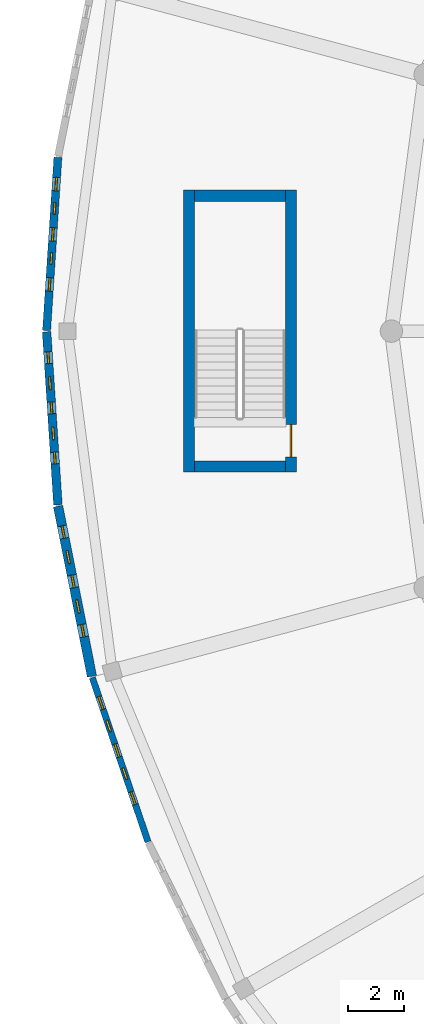
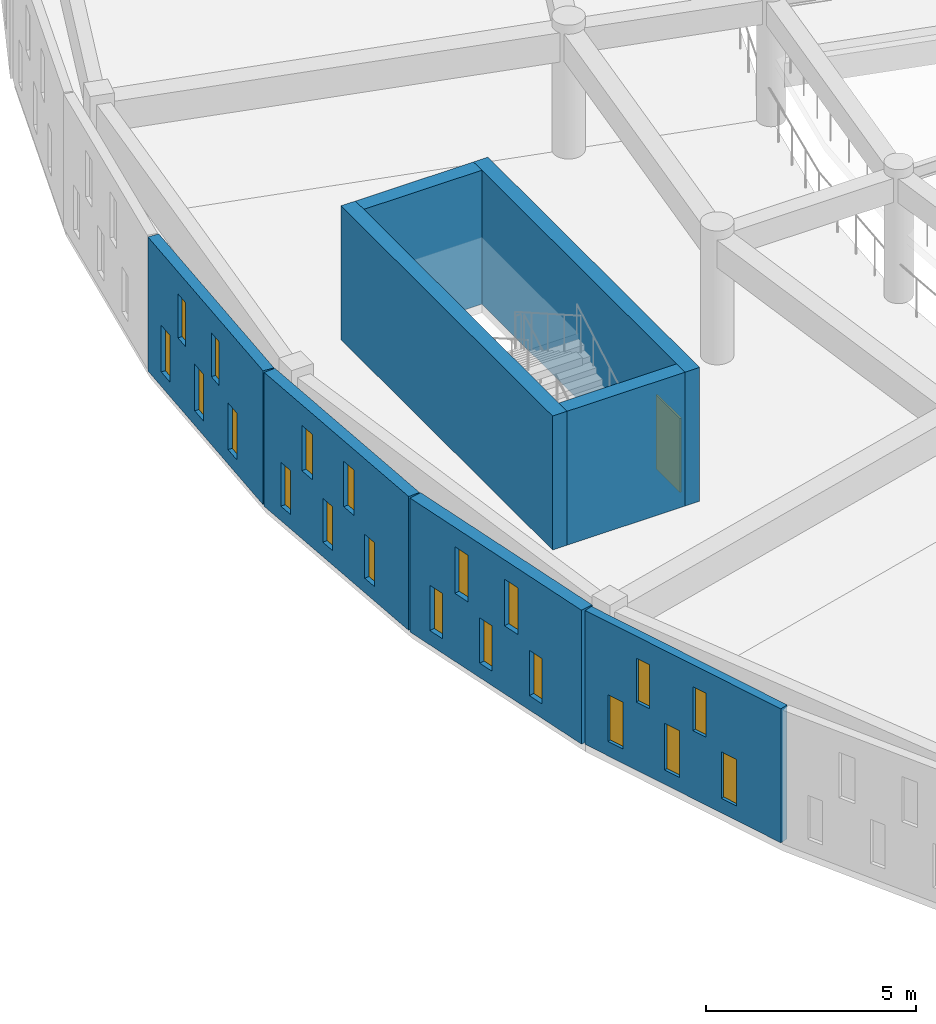
# One storey, part 56 of 98: 20 windows, 8 walls, 1 door, 21 openings.
"""IFC4 building model written with IfcOpenShell, lengths in metres."""

from ifc_helpers import new_model, si_unit, direction, frame, frame_2d, origin, place, context, subcontext, project, spatial, rectangle, extrude, material, layer, layer_set, type_object, element, fill, save


model = new_model("IFC4")

# Units and contexts
model_context = context("Model", 3, precision=1e-05, world=origin(), true_north=direction((0.0, 1.0)))
body_context = subcontext(model_context, "Body", "Model", "MODEL_VIEW")
ifc_project = project(units=[si_unit("LENGTHUNIT", "METRE"), si_unit("AREAUNIT", "SQUARE_METRE"), si_unit("VOLUMEUNIT", "CUBIC_METRE"), si_unit("PLANEANGLEUNIT", "RADIAN"), si_unit("MASSUNIT", "GRAM", prefix="KILO")], contexts=[model_context])

# Site, building, storey
site_placement = place(None, origin())
site = spatial("IfcSite", under=ifc_project, at=site_placement, CompositionType="ELEMENT")
building_placement = place(site_placement, origin())
building = spatial("IfcBuilding", under=site, at=building_placement, Name="Larkveld Mobility Hub", CompositionType="ELEMENT")
storey_placement = place(building_placement, frame((0.0, 0.0, 4.5)))
storey = spatial("IfcBuildingStorey", under=building, at=storey_placement, Name="L01", CompositionType="ELEMENT", Elevation=4.5)

# Wall, openings, windows
ifc_material_1 = material(Name="Fired clay brick 25 MPa", Category="masonry")
ifc_layer_1 = layer(ifc_material_1, 0.22998046875, Name="Fired clay brick 25 MPa", Category="masonry")
ifc_layer_set_1 = layer_set([ifc_layer_1], Name="Fired clay brick 25 MPa")
wall_type_1 = type_object("IfcWallType", Name="WL-BRK-230", PredefinedType="USERDEFINED", material=ifc_layer_set_1)
wall_1_placement = place(storey_placement, frame((1.7880859375, 35.593017578125, 0.0), z_axis=(0.0, 0.0, 1.0), x_axis=(0.321364960579, -0.946955417172, 0.0)))
wall_1 = element("IfcWall", 1, at=wall_1_placement, inside=storey, type_object=wall_type_1, Name="Drum Woven Open-Bond Brick Chord L01-0071", ObjectType="PERFORATED BRICK SCREEN", PredefinedType="USERDEFINED", context=body_context, shape_type="SweptSolid", body=[
    extrude(rectangle(XDim=6.21044921875, YDim=0.22998046875, at=frame_2d((3.105224609375, 0.0))), origin(), (0.0, 0.0, 1.0), 3.89990234375),
])
opening_1_placement = place(wall_1_placement, frame((0.719970703125, 0.0, 0.419921875)))
opening_1 = element("IfcOpeningElement", 2, at=opening_1_placement, cuts=wall_1, Name="Opening W03", PredefinedType="OPENING", context=body_context, shape_type="SweptSolid", body=[
    extrude(rectangle(XDim=0.47998046875, YDim=1.360107421875, at=frame_2d((0.239990234375, 0.68017578125))), frame((0.0, 0.125, 0.0), z_axis=(0.0, -1.0, 0.0), x_axis=(1.0, 0.0, 0.0)), (0.0, 0.0, 1.0), 0.25),
])
opening_2_placement = place(wall_1_placement, frame((2.52001953125, 0.0, 0.419921875)))
opening_2 = element("IfcOpeningElement", 3, at=opening_2_placement, cuts=wall_1, Name="Opening W03", PredefinedType="OPENING", context=body_context, shape_type="SweptSolid", body=[
    extrude(rectangle(XDim=0.47998046875, YDim=1.360107421875, at=frame_2d((0.239990234375, 0.68017578125))), frame((0.0, 0.125, 0.0), z_axis=(0.0, -1.0, 0.0), x_axis=(1.0, 0.0, 0.0)), (0.0, 0.0, 1.0), 0.25),
])
opening_3_placement = place(wall_1_placement, frame((4.320068359375, 0.0, 0.419921875)))
opening_3 = element("IfcOpeningElement", 4, at=opening_3_placement, cuts=wall_1, Name="Opening W03", PredefinedType="OPENING", context=body_context, shape_type="SweptSolid", body=[
    extrude(rectangle(XDim=0.47998046875, YDim=1.360107421875, at=frame_2d((0.239990234375, 0.68017578125))), frame((0.0, 0.125, 0.0), z_axis=(0.0, -1.0, 0.0), x_axis=(1.0, 0.0, 0.0)), (0.0, 0.0, 1.0), 0.25),
])
opening_4_placement = place(wall_1_placement, frame((1.6201171875, 0.0, 1.97998046875)))
opening_4 = element("IfcOpeningElement", 5, at=opening_4_placement, cuts=wall_1, Name="Opening W01", PredefinedType="OPENING", context=body_context, shape_type="SweptSolid", body=[
    extrude(rectangle(XDim=0.419921875, YDim=1.280029296875, at=frame_2d((0.2099609375, 0.64013671875))), frame((0.0, 0.125, 0.0), z_axis=(0.0, -1.0, 0.0), x_axis=(1.0, 0.0, 0.0)), (0.0, 0.0, 1.0), 0.25),
])
opening_5_placement = place(wall_1_placement, frame((3.419921875, 0.0, 1.97998046875)))
opening_5 = element("IfcOpeningElement", 6, at=opening_5_placement, cuts=wall_1, Name="Opening W01", PredefinedType="OPENING", context=body_context, shape_type="SweptSolid", body=[
    extrude(rectangle(XDim=0.419921875, YDim=1.280029296875, at=frame_2d((0.2099609375, 0.64013671875))), frame((0.0, 0.125, 0.0), z_axis=(0.0, -1.0, 0.0), x_axis=(1.0, 0.0, 0.0)), (0.0, 0.0, 1.0), 0.25),
])
ifc_material_2 = material(Name="Extruded aluminium ventilation grille", Category="aluminium")
window_type_1 = type_object("IfcWindowType", Name="WN-VENT-01", PartitioningType="SINGLE_PANEL", PredefinedType="WINDOW", material=ifc_material_2)
window_1_placement = place(opening_4_placement, origin())
window_1 = element("IfcWindow", 7, at=window_1_placement, inside=storey, type_object=window_type_1, Name="Window W01 (0344)", OverallHeight=1.280029296875, OverallWidth=0.419921875, PartitioningType="SINGLE_PANEL", PredefinedType="WINDOW", context=body_context, shape_type="SweptSolid", body=[
    extrude(rectangle(XDim=0.419921875, YDim=1.280029296875, at=frame_2d((0.2099609375, 0.64013671875))), frame((0.0, 0.030029296875, 0.0), z_axis=(0.0, -1.0, 0.0), x_axis=(1.0, 0.0, 0.0)), (0.0, 0.0, 1.0), 0.06005859375),
])
fill(opening_4, window_1)
window_2_placement = place(opening_5_placement, origin())
window_2 = element("IfcWindow", 8, at=window_2_placement, inside=storey, type_object=window_type_1, Name="Window W01 (0345)", OverallHeight=1.280029296875, OverallWidth=0.419921875, PartitioningType="SINGLE_PANEL", PredefinedType="WINDOW", context=body_context, shape_type="SweptSolid", body=[
    extrude(rectangle(XDim=0.419921875, YDim=1.280029296875, at=frame_2d((0.2099609375, 0.64013671875))), frame((0.0, 0.030029296875, 0.0), z_axis=(0.0, -1.0, 0.0), x_axis=(1.0, 0.0, 0.0)), (0.0, 0.0, 1.0), 0.06005859375),
])
fill(opening_5, window_2)
window_type_2 = type_object("IfcWindowType", Name="WN-VENT-03", PartitioningType="SINGLE_PANEL", PredefinedType="WINDOW", material=ifc_material_2)
window_3_placement = place(opening_1_placement, origin())
window_3 = element("IfcWindow", 9, at=window_3_placement, inside=storey, type_object=window_type_2, Name="Window W03 (0341)", OverallHeight=1.360107421875, OverallWidth=0.47998046875, PartitioningType="SINGLE_PANEL", PredefinedType="WINDOW", context=body_context, shape_type="SweptSolid", body=[
    extrude(rectangle(XDim=0.47998046875, YDim=1.360107421875, at=frame_2d((0.239990234375, 0.68017578125))), frame((0.0, 0.030029296875, 0.0), z_axis=(0.0, -1.0, 0.0), x_axis=(1.0, 0.0, 0.0)), (0.0, 0.0, 1.0), 0.06005859375),
])
fill(opening_1, window_3)
window_4_placement = place(opening_2_placement, origin())
window_4 = element("IfcWindow", 10, at=window_4_placement, inside=storey, type_object=window_type_2, Name="Window W03 (0342)", OverallHeight=1.360107421875, OverallWidth=0.47998046875, PartitioningType="SINGLE_PANEL", PredefinedType="WINDOW", context=body_context, shape_type="SweptSolid", body=[
    extrude(rectangle(XDim=0.47998046875, YDim=1.360107421875, at=frame_2d((0.239990234375, 0.68017578125))), frame((0.0, 0.030029296875, 0.0), z_axis=(0.0, -1.0, 0.0), x_axis=(1.0, 0.0, 0.0)), (0.0, 0.0, 1.0), 0.06005859375),
])
fill(opening_2, window_4)
window_5_placement = place(opening_3_placement, origin())
window_5 = element("IfcWindow", 11, at=window_5_placement, inside=storey, type_object=window_type_2, Name="Window W03 (0343)", OverallHeight=1.360107421875, OverallWidth=0.47998046875, PartitioningType="SINGLE_PANEL", PredefinedType="WINDOW", context=body_context, shape_type="SweptSolid", body=[
    extrude(rectangle(XDim=0.47998046875, YDim=1.360107421875, at=frame_2d((0.239990234375, 0.68017578125))), frame((0.0, 0.030029296875, 0.0), z_axis=(0.0, -1.0, 0.0), x_axis=(1.0, 0.0, 0.0)), (0.0, 0.0, 1.0), 0.06005859375),
])
fill(opening_3, window_5)

ifc_layer_2 = layer(ifc_material_1, 0.2900390625, Name="Fired clay brick 25 MPa", Category="masonry")
ifc_layer_set_2 = layer_set([ifc_layer_2], Name="Fired clay brick 25 MPa")
wall_type_2 = type_object("IfcWallType", Name="WL-BRK-290", PredefinedType="USERDEFINED", material=ifc_layer_set_2)
wall_2_placement = place(storey_placement, frame((0.556884765625, 54.221923828125, 0.0), z_axis=(0.0, 0.0, 1.0), x_axis=(-0.065170180182, -0.997874164219, 0.0)))
wall_2 = element("IfcWall", 12, at=wall_2_placement, inside=storey, type_object=wall_type_2, Name="Drum Woven Open-Bond Brick Chord L01-0068", ObjectType="PERFORATED BRICK SCREEN", PredefinedType="USERDEFINED", context=body_context, shape_type="SweptSolid", body=[
    extrude(rectangle(XDim=6.211181640625, YDim=0.2900390625, at=frame_2d((3.10546875, 0.0))), origin(), (0.0, 0.0, 1.0), 3.89990234375),
])
opening_6_placement = place(wall_2_placement, frame((0.719970703125, 0.0, 0.419921875)))
opening_6 = element("IfcOpeningElement", 13, at=opening_6_placement, cuts=wall_2, Name="Opening W03", PredefinedType="OPENING", context=body_context, shape_type="SweptSolid", body=[
    extrude(rectangle(XDim=0.47998046875, YDim=1.360107421875, at=frame_2d((0.239990234375, 0.68017578125))), frame((0.0, 0.155029296875, 0.0), z_axis=(0.0, -1.0, 0.0), x_axis=(1.0, 0.0, 0.0)), (0.0, 0.0, 1.0), 0.31005859375),
])
opening_7_placement = place(wall_2_placement, frame((2.52001953125, 0.0, 0.419921875)))
opening_7 = element("IfcOpeningElement", 14, at=opening_7_placement, cuts=wall_2, Name="Opening W03", PredefinedType="OPENING", context=body_context, shape_type="SweptSolid", body=[
    extrude(rectangle(XDim=0.47998046875, YDim=1.360107421875, at=frame_2d((0.239990234375, 0.68017578125))), frame((0.0, 0.155029296875, 0.0), z_axis=(0.0, -1.0, 0.0), x_axis=(1.0, 0.0, 0.0)), (0.0, 0.0, 1.0), 0.31005859375),
])
opening_8_placement = place(wall_2_placement, frame((4.320068359375, 0.0, 0.419921875)))
opening_8 = element("IfcOpeningElement", 15, at=opening_8_placement, cuts=wall_2, Name="Opening W03", PredefinedType="OPENING", context=body_context, shape_type="SweptSolid", body=[
    extrude(rectangle(XDim=0.47998046875, YDim=1.360107421875, at=frame_2d((0.239990234375, 0.68017578125))), frame((0.0, 0.155029296875, 0.0), z_axis=(0.0, -1.0, 0.0), x_axis=(1.0, 0.0, 0.0)), (0.0, 0.0, 1.0), 0.31005859375),
])
opening_9_placement = place(wall_2_placement, frame((1.6201171875, 0.0, 1.97998046875)))
opening_9 = element("IfcOpeningElement", 16, at=opening_9_placement, cuts=wall_2, Name="Opening W01", PredefinedType="OPENING", context=body_context, shape_type="SweptSolid", body=[
    extrude(rectangle(XDim=0.419921875, YDim=1.280029296875, at=frame_2d((0.2099609375, 0.64013671875))), frame((0.0, 0.155029296875, 0.0), z_axis=(0.0, -1.0, 0.0), x_axis=(1.0, 0.0, 0.0)), (0.0, 0.0, 1.0), 0.31005859375),
])
opening_10_placement = place(wall_2_placement, frame((3.419921875, 0.0, 1.97998046875)))
opening_10 = element("IfcOpeningElement", 17, at=opening_10_placement, cuts=wall_2, Name="Opening W01", PredefinedType="OPENING", context=body_context, shape_type="SweptSolid", body=[
    extrude(rectangle(XDim=0.419921875, YDim=1.280029296875, at=frame_2d((0.2099609375, 0.64013671875))), frame((0.0, 0.155029296875, 0.0), z_axis=(0.0, -1.0, 0.0), x_axis=(1.0, 0.0, 0.0)), (0.0, 0.0, 1.0), 0.31005859375),
])
window_6_placement = place(opening_9_placement, origin())
window_6 = element("IfcWindow", 18, at=window_6_placement, inside=storey, type_object=window_type_1, Name="Window W01 (0329)", OverallHeight=1.280029296875, OverallWidth=0.419921875, PartitioningType="SINGLE_PANEL", PredefinedType="WINDOW", context=body_context, shape_type="SweptSolid", body=[
    extrude(rectangle(XDim=0.419921875, YDim=1.280029296875, at=frame_2d((0.2099609375, 0.64013671875))), frame((0.0, 0.030029296875, 0.0), z_axis=(0.0, -1.0, 0.0), x_axis=(1.0, 0.0, 0.0)), (0.0, 0.0, 1.0), 0.06005859375),
])
fill(opening_9, window_6)
window_7_placement = place(opening_10_placement, origin())
window_7 = element("IfcWindow", 19, at=window_7_placement, inside=storey, type_object=window_type_1, Name="Window W01 (0330)", OverallHeight=1.280029296875, OverallWidth=0.419921875, PartitioningType="SINGLE_PANEL", PredefinedType="WINDOW", context=body_context, shape_type="SweptSolid", body=[
    extrude(rectangle(XDim=0.419921875, YDim=1.280029296875, at=frame_2d((0.2099609375, 0.64013671875))), frame((0.0, 0.030029296875, 0.0), z_axis=(0.0, -1.0, 0.0), x_axis=(1.0, 0.0, 0.0)), (0.0, 0.0, 1.0), 0.06005859375),
])
fill(opening_10, window_7)
window_8_placement = place(opening_6_placement, origin())
window_8 = element("IfcWindow", 20, at=window_8_placement, inside=storey, type_object=window_type_2, Name="Window W03 (0326)", OverallHeight=1.360107421875, OverallWidth=0.47998046875, PartitioningType="SINGLE_PANEL", PredefinedType="WINDOW", context=body_context, shape_type="SweptSolid", body=[
    extrude(rectangle(XDim=0.47998046875, YDim=1.360107421875, at=frame_2d((0.239990234375, 0.68017578125))), frame((0.0, 0.030029296875, 0.0), z_axis=(0.0, -1.0, 0.0), x_axis=(1.0, 0.0, 0.0)), (0.0, 0.0, 1.0), 0.06005859375),
])
fill(opening_6, window_8)
window_9_placement = place(opening_7_placement, origin())
window_9 = element("IfcWindow", 21, at=window_9_placement, inside=storey, type_object=window_type_2, Name="Window W03 (0327)", OverallHeight=1.360107421875, OverallWidth=0.47998046875, PartitioningType="SINGLE_PANEL", PredefinedType="WINDOW", context=body_context, shape_type="SweptSolid", body=[
    extrude(rectangle(XDim=0.47998046875, YDim=1.360107421875, at=frame_2d((0.239990234375, 0.68017578125))), frame((0.0, 0.030029296875, 0.0), z_axis=(0.0, -1.0, 0.0), x_axis=(1.0, 0.0, 0.0)), (0.0, 0.0, 1.0), 0.06005859375),
])
fill(opening_7, window_9)
window_10_placement = place(opening_8_placement, origin())
window_10 = element("IfcWindow", 22, at=window_10_placement, inside=storey, type_object=window_type_2, Name="Window W03 (0328)", OverallHeight=1.360107421875, OverallWidth=0.47998046875, PartitioningType="SINGLE_PANEL", PredefinedType="WINDOW", context=body_context, shape_type="SweptSolid", body=[
    extrude(rectangle(XDim=0.47998046875, YDim=1.360107421875, at=frame_2d((0.239990234375, 0.68017578125))), frame((0.0, 0.030029296875, 0.0), z_axis=(0.0, -1.0, 0.0), x_axis=(1.0, 0.0, 0.0)), (0.0, 0.0, 1.0), 0.06005859375),
])
fill(opening_8, window_10)

ifc_layer_3 = layer(ifc_material_1, 0.31005859375, Name="Fired clay brick 25 MPa", Category="masonry")
ifc_layer_set_3 = layer_set([ifc_layer_3], Name="Fired clay brick 25 MPa")
wall_type_3 = type_object("IfcWallType", Name="WL-BRK-310", PredefinedType="USERDEFINED", material=ifc_layer_set_3)
wall_3_placement = place(storey_placement, frame((0.152099609375, 47.97607421875, 0.0), z_axis=(0.0, 0.0, 1.0), x_axis=(0.065170180182, -0.997874164219, 0.0)))
wall_3 = element("IfcWall", 23, at=wall_3_placement, inside=storey, type_object=wall_type_3, Name="Drum Woven Open-Bond Brick Chord L01-0069", ObjectType="PERFORATED BRICK SCREEN", PredefinedType="USERDEFINED", context=body_context, shape_type="SweptSolid", body=[
    extrude(rectangle(XDim=6.211181640625, YDim=0.31005859375, at=frame_2d((3.10546875, 0.0))), origin(), (0.0, 0.0, 1.0), 3.89990234375),
])
opening_11_placement = place(wall_3_placement, frame((0.719970703125, 0.0, 0.419921875)))
opening_11 = element("IfcOpeningElement", 24, at=opening_11_placement, cuts=wall_3, Name="Opening W01", PredefinedType="OPENING", context=body_context, shape_type="SweptSolid", body=[
    extrude(rectangle(XDim=0.419921875, YDim=1.280029296875, at=frame_2d((0.2099609375, 0.64013671875))), frame((0.0, 0.1650390625, 0.0), z_axis=(0.0, -1.0, 0.0), x_axis=(1.0, 0.0, 0.0)), (0.0, 0.0, 1.0), 0.330078125),
])
opening_12_placement = place(wall_3_placement, frame((2.52001953125, 0.0, 0.419921875)))
opening_12 = element("IfcOpeningElement", 25, at=opening_12_placement, cuts=wall_3, Name="Opening W01", PredefinedType="OPENING", context=body_context, shape_type="SweptSolid", body=[
    extrude(rectangle(XDim=0.419921875, YDim=1.280029296875, at=frame_2d((0.2099609375, 0.64013671875))), frame((0.0, 0.1650390625, 0.0), z_axis=(0.0, -1.0, 0.0), x_axis=(1.0, 0.0, 0.0)), (0.0, 0.0, 1.0), 0.330078125),
])
opening_13_placement = place(wall_3_placement, frame((4.320068359375, 0.0, 0.419921875)))
opening_13 = element("IfcOpeningElement", 26, at=opening_13_placement, cuts=wall_3, Name="Opening W01", PredefinedType="OPENING", context=body_context, shape_type="SweptSolid", body=[
    extrude(rectangle(XDim=0.419921875, YDim=1.280029296875, at=frame_2d((0.2099609375, 0.64013671875))), frame((0.0, 0.1650390625, 0.0), z_axis=(0.0, -1.0, 0.0), x_axis=(1.0, 0.0, 0.0)), (0.0, 0.0, 1.0), 0.330078125),
])
opening_14_placement = place(wall_3_placement, frame((1.6201171875, 0.0, 1.97998046875)))
opening_14 = element("IfcOpeningElement", 27, at=opening_14_placement, cuts=wall_3, Name="Opening W02", PredefinedType="OPENING", context=body_context, shape_type="SweptSolid", body=[
    extrude(rectangle(XDim=0.449951171875, YDim=1.320068359375, at=frame_2d((0.22509765625, 0.66015625))), frame((0.0, 0.1650390625, 0.0), z_axis=(0.0, -1.0, 0.0), x_axis=(1.0, 0.0, 0.0)), (0.0, 0.0, 1.0), 0.330078125),
])
opening_15_placement = place(wall_3_placement, frame((3.419921875, 0.0, 1.97998046875)))
opening_15 = element("IfcOpeningElement", 28, at=opening_15_placement, cuts=wall_3, Name="Opening W02", PredefinedType="OPENING", context=body_context, shape_type="SweptSolid", body=[
    extrude(rectangle(XDim=0.449951171875, YDim=1.320068359375, at=frame_2d((0.22509765625, 0.66015625))), frame((0.0, 0.1650390625, 0.0), z_axis=(0.0, -1.0, 0.0), x_axis=(1.0, 0.0, 0.0)), (0.0, 0.0, 1.0), 0.330078125),
])
window_11_placement = place(opening_11_placement, origin())
window_11 = element("IfcWindow", 29, at=window_11_placement, inside=storey, type_object=window_type_1, Name="Window W01 (0331)", OverallHeight=1.280029296875, OverallWidth=0.419921875, PartitioningType="SINGLE_PANEL", PredefinedType="WINDOW", context=body_context, shape_type="SweptSolid", body=[
    extrude(rectangle(XDim=0.419921875, YDim=1.280029296875, at=frame_2d((0.2099609375, 0.64013671875))), frame((0.0, 0.030029296875, 0.0), z_axis=(0.0, -1.0, 0.0), x_axis=(1.0, 0.0, 0.0)), (0.0, 0.0, 1.0), 0.06005859375),
])
fill(opening_11, window_11)
window_12_placement = place(opening_12_placement, origin())
window_12 = element("IfcWindow", 30, at=window_12_placement, inside=storey, type_object=window_type_1, Name="Window W01 (0332)", OverallHeight=1.280029296875, OverallWidth=0.419921875, PartitioningType="SINGLE_PANEL", PredefinedType="WINDOW", context=body_context, shape_type="SweptSolid", body=[
    extrude(rectangle(XDim=0.419921875, YDim=1.280029296875, at=frame_2d((0.2099609375, 0.64013671875))), frame((0.0, 0.030029296875, 0.0), z_axis=(0.0, -1.0, 0.0), x_axis=(1.0, 0.0, 0.0)), (0.0, 0.0, 1.0), 0.06005859375),
])
fill(opening_12, window_12)
window_13_placement = place(opening_13_placement, origin())
window_13 = element("IfcWindow", 31, at=window_13_placement, inside=storey, type_object=window_type_1, Name="Window W01 (0333)", OverallHeight=1.280029296875, OverallWidth=0.419921875, PartitioningType="SINGLE_PANEL", PredefinedType="WINDOW", context=body_context, shape_type="SweptSolid", body=[
    extrude(rectangle(XDim=0.419921875, YDim=1.280029296875, at=frame_2d((0.2099609375, 0.64013671875))), frame((0.0, 0.030029296875, 0.0), z_axis=(0.0, -1.0, 0.0), x_axis=(1.0, 0.0, 0.0)), (0.0, 0.0, 1.0), 0.06005859375),
])
fill(opening_13, window_13)
window_type_3 = type_object("IfcWindowType", Name="WN-VENT-02", PartitioningType="SINGLE_PANEL", PredefinedType="WINDOW", material=ifc_material_2)
window_14_placement = place(opening_14_placement, origin())
window_14 = element("IfcWindow", 32, at=window_14_placement, inside=storey, type_object=window_type_3, Name="Window W02 (0334)", OverallHeight=1.320068359375, OverallWidth=0.449951171875, PartitioningType="SINGLE_PANEL", PredefinedType="WINDOW", context=body_context, shape_type="SweptSolid", body=[
    extrude(rectangle(XDim=0.449951171875, YDim=1.320068359375, at=frame_2d((0.22509765625, 0.66015625))), frame((0.0, 0.030029296875, 0.0), z_axis=(0.0, -1.0, 0.0), x_axis=(1.0, 0.0, 0.0)), (0.0, 0.0, 1.0), 0.06005859375),
])
fill(opening_14, window_14)
window_15_placement = place(opening_15_placement, origin())
window_15 = element("IfcWindow", 33, at=window_15_placement, inside=storey, type_object=window_type_3, Name="Window W02 (0335)", OverallHeight=1.320068359375, OverallWidth=0.449951171875, PartitioningType="SINGLE_PANEL", PredefinedType="WINDOW", context=body_context, shape_type="SweptSolid", body=[
    extrude(rectangle(XDim=0.449951171875, YDim=1.320068359375, at=frame_2d((0.22509765625, 0.66015625))), frame((0.0, 0.030029296875, 0.0), z_axis=(0.0, -1.0, 0.0), x_axis=(1.0, 0.0, 0.0)), (0.0, 0.0, 1.0), 0.06005859375),
])
fill(opening_15, window_15)

ifc_layer_4 = layer(ifc_material_1, 0.340087890625, Name="Fired clay brick 25 MPa", Category="masonry")
ifc_layer_set_4 = layer_set([ifc_layer_4], Name="Fired clay brick 25 MPa")
wall_type_4 = type_object("IfcWallType", Name="WL-BRK-340", PredefinedType="USERDEFINED", material=ifc_layer_set_4)
wall_4_placement = place(storey_placement, frame((0.56396484375, 41.72998046875, 0.0), z_axis=(0.0, 0.0, 1.0), x_axis=(0.195019632022, -0.980799338869, 0.0)))
wall_4 = element("IfcWall", 34, at=wall_4_placement, inside=storey, type_object=wall_type_4, Name="Drum Woven Open-Bond Brick Chord L01-0070", ObjectType="PERFORATED BRICK SCREEN", PredefinedType="USERDEFINED", context=body_context, shape_type="SweptSolid", body=[
    extrude(rectangle(XDim=6.209228515625, YDim=0.340087890625, at=frame_2d((3.1044921875, 0.0))), origin(), (0.0, 0.0, 1.0), 3.89990234375),
])
opening_16_placement = place(wall_4_placement, frame((0.719970703125, 0.0, 0.419921875)))
opening_16 = element("IfcOpeningElement", 35, at=opening_16_placement, cuts=wall_4, Name="Opening W02", PredefinedType="OPENING", context=body_context, shape_type="SweptSolid", body=[
    extrude(rectangle(XDim=0.449951171875, YDim=1.320068359375, at=frame_2d((0.22509765625, 0.66015625))), frame((0.0, 0.18017578125, 0.0), z_axis=(0.0, -1.0, 0.0), x_axis=(1.0, 0.0, 0.0)), (0.0, 0.0, 1.0), 0.360107421875),
])
opening_17_placement = place(wall_4_placement, frame((2.52001953125, 0.0, 0.419921875)))
opening_17 = element("IfcOpeningElement", 36, at=opening_17_placement, cuts=wall_4, Name="Opening W02", PredefinedType="OPENING", context=body_context, shape_type="SweptSolid", body=[
    extrude(rectangle(XDim=0.449951171875, YDim=1.320068359375, at=frame_2d((0.22509765625, 0.66015625))), frame((0.0, 0.18017578125, 0.0), z_axis=(0.0, -1.0, 0.0), x_axis=(1.0, 0.0, 0.0)), (0.0, 0.0, 1.0), 0.360107421875),
])
opening_18_placement = place(wall_4_placement, frame((4.320068359375, 0.0, 0.419921875)))
opening_18 = element("IfcOpeningElement", 37, at=opening_18_placement, cuts=wall_4, Name="Opening W02", PredefinedType="OPENING", context=body_context, shape_type="SweptSolid", body=[
    extrude(rectangle(XDim=0.449951171875, YDim=1.320068359375, at=frame_2d((0.22509765625, 0.66015625))), frame((0.0, 0.18017578125, 0.0), z_axis=(0.0, -1.0, 0.0), x_axis=(1.0, 0.0, 0.0)), (0.0, 0.0, 1.0), 0.360107421875),
])
opening_19_placement = place(wall_4_placement, frame((1.6201171875, 0.0, 1.97998046875)))
opening_19 = element("IfcOpeningElement", 38, at=opening_19_placement, cuts=wall_4, Name="Opening W03", PredefinedType="OPENING", context=body_context, shape_type="SweptSolid", body=[
    extrude(rectangle(XDim=0.47998046875, YDim=1.360107421875, at=frame_2d((0.239990234375, 0.68017578125))), frame((0.0, 0.18017578125, 0.0), z_axis=(0.0, -1.0, 0.0), x_axis=(1.0, 0.0, 0.0)), (0.0, 0.0, 1.0), 0.360107421875),
])
opening_20_placement = place(wall_4_placement, frame((3.419921875, 0.0, 1.97998046875)))
opening_20 = element("IfcOpeningElement", 39, at=opening_20_placement, cuts=wall_4, Name="Opening W03", PredefinedType="OPENING", context=body_context, shape_type="SweptSolid", body=[
    extrude(rectangle(XDim=0.47998046875, YDim=1.360107421875, at=frame_2d((0.239990234375, 0.68017578125))), frame((0.0, 0.18017578125, 0.0), z_axis=(0.0, -1.0, 0.0), x_axis=(1.0, 0.0, 0.0)), (0.0, 0.0, 1.0), 0.360107421875),
])
window_16_placement = place(opening_16_placement, origin())
window_16 = element("IfcWindow", 40, at=window_16_placement, inside=storey, type_object=window_type_3, Name="Window W02 (0336)", OverallHeight=1.320068359375, OverallWidth=0.449951171875, PartitioningType="SINGLE_PANEL", PredefinedType="WINDOW", context=body_context, shape_type="SweptSolid", body=[
    extrude(rectangle(XDim=0.449951171875, YDim=1.320068359375, at=frame_2d((0.22509765625, 0.66015625))), frame((0.0, 0.030029296875, 0.0), z_axis=(0.0, -1.0, 0.0), x_axis=(1.0, 0.0, 0.0)), (0.0, 0.0, 1.0), 0.06005859375),
])
fill(opening_16, window_16)
window_17_placement = place(opening_17_placement, origin())
window_17 = element("IfcWindow", 41, at=window_17_placement, inside=storey, type_object=window_type_3, Name="Window W02 (0337)", OverallHeight=1.320068359375, OverallWidth=0.449951171875, PartitioningType="SINGLE_PANEL", PredefinedType="WINDOW", context=body_context, shape_type="SweptSolid", body=[
    extrude(rectangle(XDim=0.449951171875, YDim=1.320068359375, at=frame_2d((0.22509765625, 0.66015625))), frame((0.0, 0.030029296875, 0.0), z_axis=(0.0, -1.0, 0.0), x_axis=(1.0, 0.0, 0.0)), (0.0, 0.0, 1.0), 0.06005859375),
])
fill(opening_17, window_17)
window_18_placement = place(opening_18_placement, origin())
window_18 = element("IfcWindow", 42, at=window_18_placement, inside=storey, type_object=window_type_3, Name="Window W02 (0338)", OverallHeight=1.320068359375, OverallWidth=0.449951171875, PartitioningType="SINGLE_PANEL", PredefinedType="WINDOW", context=body_context, shape_type="SweptSolid", body=[
    extrude(rectangle(XDim=0.449951171875, YDim=1.320068359375, at=frame_2d((0.22509765625, 0.66015625))), frame((0.0, 0.030029296875, 0.0), z_axis=(0.0, -1.0, 0.0), x_axis=(1.0, 0.0, 0.0)), (0.0, 0.0, 1.0), 0.06005859375),
])
fill(opening_18, window_18)
window_19_placement = place(opening_19_placement, origin())
window_19 = element("IfcWindow", 43, at=window_19_placement, inside=storey, type_object=window_type_2, Name="Window W03 (0339)", OverallHeight=1.360107421875, OverallWidth=0.47998046875, PartitioningType="SINGLE_PANEL", PredefinedType="WINDOW", context=body_context, shape_type="SweptSolid", body=[
    extrude(rectangle(XDim=0.47998046875, YDim=1.360107421875, at=frame_2d((0.239990234375, 0.68017578125))), frame((0.0, 0.030029296875, 0.0), z_axis=(0.0, -1.0, 0.0), x_axis=(1.0, 0.0, 0.0)), (0.0, 0.0, 1.0), 0.06005859375),
])
fill(opening_19, window_19)
window_20_placement = place(opening_20_placement, origin())
window_20 = element("IfcWindow", 44, at=window_20_placement, inside=storey, type_object=window_type_2, Name="Window W03 (0340)", OverallHeight=1.360107421875, OverallWidth=0.47998046875, PartitioningType="SINGLE_PANEL", PredefinedType="WINDOW", context=body_context, shape_type="SweptSolid", body=[
    extrude(rectangle(XDim=0.47998046875, YDim=1.360107421875, at=frame_2d((0.239990234375, 0.68017578125))), frame((0.0, 0.030029296875, 0.0), z_axis=(0.0, -1.0, 0.0), x_axis=(1.0, 0.0, 0.0)), (0.0, 0.0, 1.0), 0.06005859375),
])
fill(opening_20, window_20)

# Wall
ifc_material_3 = material(Name="Concrete C40/50", Category="concrete")
ifc_layer_5 = layer(ifc_material_3, 0.39990234375, Name="Concrete C40/50", Category="concrete")
ifc_layer_set_5 = layer_set([ifc_layer_5], Name="Concrete C40/50")
wall_type_5 = type_object("IfcWallType", Name="WL-SHR-07", PredefinedType="SHEAR", material=ifc_layer_set_5)
wall_5_placement = place(storey_placement, frame((5.25, 42.949951171875, 0.0), z_axis=(0.0, 0.0, 1.0), x_axis=(0.0, 1.0, 0.0)))
element("IfcWall", 45, at=wall_5_placement, inside=storey, type_object=wall_type_5, Name="Core C7 Stair Shear Wall L01-W", PredefinedType="SHEAR", context=body_context, shape_type="SweptSolid", body=[
    extrude(rectangle(XDim=10.10009765625, YDim=0.39990234375, at=frame_2d((5.050048828125, 0.0))), origin(), (0.0, 0.0, 1.0), 3.89990234375),
])

# Wall, opening, door
wall_6_placement = place(storey_placement, frame((8.89990234375, 53.050048828125, 0.0), z_axis=(0.0, 0.0, 1.0), x_axis=(0.0, -1.0, 0.0)))
wall_6 = element("IfcWall", 46, at=wall_6_placement, inside=storey, type_object=wall_type_5, Name="Core C7 Stair Shear Wall L01-E", PredefinedType="SHEAR", context=body_context, shape_type="SweptSolid", body=[
    extrude(rectangle(XDim=10.10009765625, YDim=0.39990234375, at=frame_2d((5.050048828125, 0.0))), origin(), (0.0, 0.0, 1.0), 3.89990234375),
])
opening_21_placement = place(wall_6_placement, frame((8.39990234375, 0.0, 0.0)))
opening_21 = element("IfcOpeningElement", 47, at=opening_21_placement, cuts=wall_6, Name="Opening DF01", PredefinedType="OPENING", context=body_context, shape_type="SweptSolid", body=[
    extrude(rectangle(XDim=1.14990234375, YDim=2.14990234375, at=frame_2d((0.574951171875, 1.074951171875))), frame((0.0, 0.2099609375, 0.0), z_axis=(0.0, -1.0, 0.0), x_axis=(1.0, 0.0, 0.0)), (0.0, 0.0, 1.0), 0.419921875),
])
ifc_material_4 = material(Name="Pressed Steel S355JR fire door assembly", Category="steel")
door_type = type_object("IfcDoorType", Name="DR-FD120", OperationType="NOTDEFINED", PredefinedType="DOOR", material=ifc_material_4)
door_placement = place(opening_21_placement, origin())
door = element("IfcDoor", 48, at=door_placement, inside=storey, type_object=door_type, Name="Stair ST7 Fire Door L01", OperationType="SINGLE_SWING_LEFT", OverallHeight=2.14990234375, OverallWidth=1.14990234375, PredefinedType="DOOR", context=body_context, shape_type="SweptSolid", body=[
    extrude(rectangle(XDim=1.14990234375, YDim=2.14990234375, at=frame_2d((0.574951171875, 1.074951171875))), frame((0.0, 0.02490234375, 0.0), z_axis=(0.0, -1.0, 0.0), x_axis=(1.0, 0.0, 0.0)), (0.0, 0.0, 1.0), 0.050048828125),
])
fill(opening_21, door)

# Walls
for number, where, z_axis, x_axis, name in (
    (49, (8.699951171875, 43.14990234375, 0.0), (0.0, 0.0, 1.0), (-1.0, 0.0, 0.0), "Core C7 Stair Shear Wall L01-S"),
    (50, (5.449951171875, 52.85009765625, 0.0), (0.0, 0.0, 1.0), (1.0, 0.0, 0.0), "Core C7 Stair Shear Wall L01-N"),
):
    element("IfcWall", number, at=place(storey_placement, frame(where, z_axis=z_axis, x_axis=x_axis)), inside=storey, type_object=wall_type_5, Name=name, PredefinedType="SHEAR", context=body_context, shape_type="SweptSolid", body=[
        extrude(rectangle(XDim=3.25, YDim=0.39990234375, at=frame_2d((1.625, 0.0))), origin(), (0.0, 0.0, 1.0), 3.89990234375),
    ])

save(model, "model.ifc")
